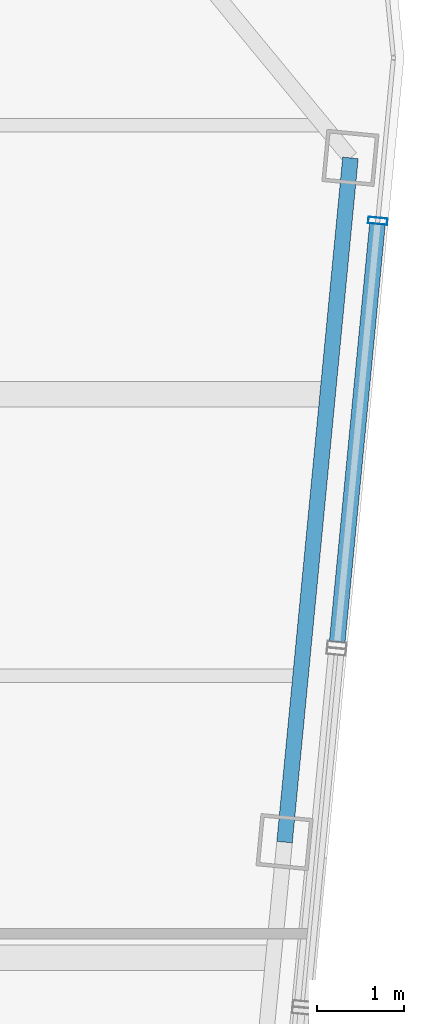
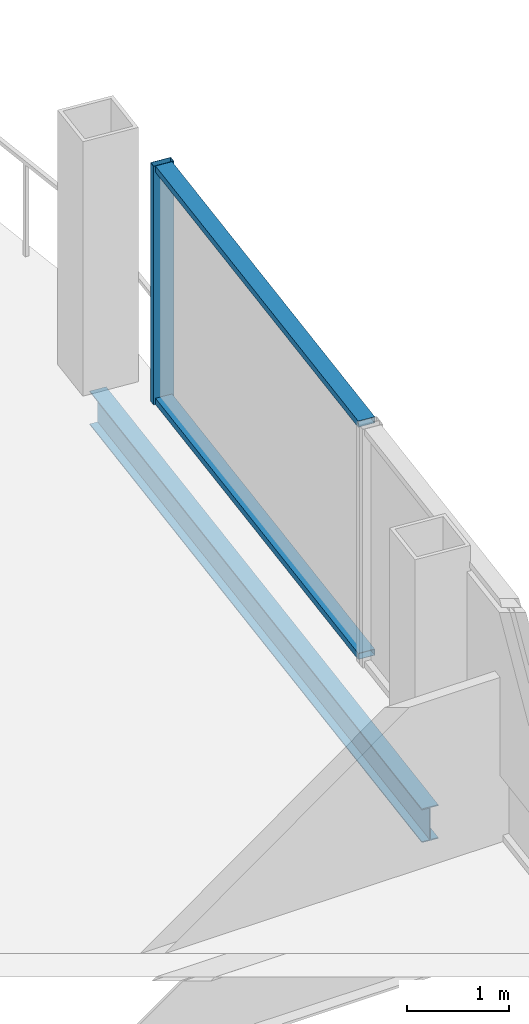
# One storey, part 12 of 23: 3 members, 1 beam, 1 element without a shape of its own.
"""IFC4 building model written with IfcOpenShell, lengths in metres."""

from ifc_helpers import new_model, si_unit, direction, frame, origin, origin_2d, place, context, subcontext, project, spatial, hollow_rectangle, i_section, extrude, material, layer, layer_set, material_profile, profile_set, type_object, element, aggregate, save


model = new_model("IFC4")

# Units and contexts
model_context = context("Model", 3, precision=1e-05, world=origin(), true_north=direction((0.0, 1.0)))
body_context = subcontext(model_context, "Body", "Model", "MODEL_VIEW")
ifc_project = project(units=[si_unit("LENGTHUNIT", "METRE"), si_unit("AREAUNIT", "SQUARE_METRE"), si_unit("VOLUMEUNIT", "CUBIC_METRE"), si_unit("PLANEANGLEUNIT", "RADIAN"), si_unit("MASSUNIT", "GRAM", prefix="KILO")], contexts=[model_context])

# Site, building, storey
site_placement = place(None, origin())
site = spatial("IfcSite", under=ifc_project, at=site_placement, CompositionType="ELEMENT")
building_placement = place(site_placement, origin())
building = spatial("IfcBuilding", under=site, at=building_placement, Name="Qhalaya Broadcast Tower", CompositionType="ELEMENT")
storey_placement = place(building_placement, frame((0.0, 0.0, 264.199951171875)))
storey = spatial("IfcBuildingStorey", under=building, at=storey_placement, Name="L78", CompositionType="ELEMENT", Elevation=264.199951171875)

# Curtain wall, members
ifc_material_1 = material(Name="Fired Architectural Terracotta", Category="masonry")
ifc_layer = layer(ifc_material_1, 0.219970703125, Name="Fired Architectural Terracotta")
ifc_layer_set = layer_set([ifc_layer], Name="Fired Architectural Terracotta")
curtain_wall_type = type_object("IfcCurtainWallType", Name="Block-Cap Unitised Terracotta Spandrel Wall CW-07", PredefinedType="NOTDEFINED", material=ifc_layer_set)
curtain_wall_placement = place(storey_placement, origin())
curtain_wall = element("IfcCurtainWall", 1, at=curtain_wall_placement, inside=storey, type_object=curtain_wall_type, Name="L78 Unitised Curtain Wall L78-CW-E5", PredefinedType="NOTDEFINED")
ifc_material_2 = material(Name="Anodised Aluminium 6063-T6", Category="aluminium")
ifc_material_profile_1 = material_profile(ifc_material_2, hollow_rectangle(XDim=0.074951171875, YDim=0.219970703125, WallThickness=0.00390625, at=origin_2d()), Name="ALU-MUL 75x220x4")
ifc_profile_set_1 = profile_set([ifc_material_profile_1], Name="Anodised Aluminium 6063-T6")
member_type_1 = type_object("IfcMemberType", Name="Unitised Curtain-Wall Mullion M01", PredefinedType="MULLION", material=ifc_profile_set_1)
member_1_placement = place(storey_placement, frame((22.40283203125, 5.8076171875, 0.0), z_axis=(0.0, 0.0, 1.0), x_axis=(0.095840154905, 0.99539673734, 0.0)))
member_1 = element("IfcMember", 2, at=member_1_placement, type_object=member_type_1, Name="CW-07 mullion 2", PredefinedType="MULLION", context=body_context, shape_type="SweptSolid", body=[
    extrude(hollow_rectangle(XDim=0.074951171875, YDim=0.219970703125, WallThickness=0.00390625, at=origin_2d()), origin(), (0.0, 0.0, 1.0), 2.860107421875),
])
ifc_material_profile_2 = material_profile(ifc_material_2, hollow_rectangle(XDim=0.074951171875, YDim=0.179931640625, WallThickness=0.00390625, at=origin_2d()), Name="ALU-TRN 75x180x4")
ifc_profile_set_2 = profile_set([ifc_material_profile_2], Name="Anodised Aluminium 6063-T6")
member_type_2 = type_object("IfcMemberType", Name="Unitised Curtain-Wall Transom T01", PredefinedType="USERDEFINED", material=ifc_profile_set_2)
member_2_placement = place(storey_placement, frame((21.93896484375, 0.990234375, 0.03759765625), z_axis=(0.095833498035, 0.995397378264, 0.0), x_axis=(0.0, 0.0, 1.0)))
member_2 = element("IfcMember", 3, at=member_2_placement, type_object=member_type_2, Name="CW-07 transom 1.1", ObjectType="TRANSOM", PredefinedType="USERDEFINED", context=body_context, shape_type="SweptSolid", body=[
    extrude(hollow_rectangle(XDim=0.074951171875, YDim=0.179931640625, WallThickness=0.00390625, at=origin_2d()), origin(), (0.0, 0.0, 1.0), 4.80224609375),
])
member_3_placement = place(storey_placement, frame((21.93896484375, 0.990234375, 2.822509765625), z_axis=(0.095833498035, 0.995397378264, 0.0), x_axis=(0.0, 0.0, 1.0)))
member_3 = element("IfcMember", 4, at=member_3_placement, type_object=member_type_2, Name="CW-07 transom 1.2", ObjectType="TRANSOM", PredefinedType="USERDEFINED", context=body_context, shape_type="SweptSolid", body=[
    extrude(hollow_rectangle(XDim=0.074951171875, YDim=0.179931640625, WallThickness=0.00390625, at=origin_2d()), origin(), (0.0, 0.0, 1.0), 4.80224609375),
])
aggregate(curtain_wall, [member_1, member_2, member_3])

# Beam
ifc_material_3 = material(Name="Structural Steel ASTM A992 Grade 50", Category="steel")
ifc_material_profile_3 = material_profile(ifc_material_3, i_section(OverallWidth=0.177978515625, OverallDepth=0.406005859375, WebThickness=0.0078125, FlangeThickness=0.0126953125, at=origin_2d()), Name="W16X40")
ifc_profile_set_3 = profile_set([ifc_material_profile_3], Name="Structural Steel ASTM A992 Grade 50")
beam_type = type_object("IfcBeamType", Name="Upper Perimeter Spandrel Beam SP2", PredefinedType="SPANDREL", material=ifc_profile_set_3)
beam_placement = place(storey_placement, frame((21.33642578125, -1.302001953125, -0.39306640625), z_axis=(0.095837184179, 0.995397023367, 0.0), x_axis=(-0.995397023367, 0.095837184179, 0.0)))
element("IfcBeam", 5, at=beam_placement, inside=storey, type_object=beam_type, Name="L78 SP2 L78-SPR-07", PredefinedType="SPANDREL", context=body_context, shape_type="SweptSolid", body=[
    extrude(i_section(OverallWidth=0.177978515625, OverallDepth=0.406005859375, WebThickness=0.0078125, FlangeThickness=0.0126953125, at=origin_2d()), origin(), (0.0, 0.0, 1.0), 7.866455078125),
])

save(model, "model.ifc")
